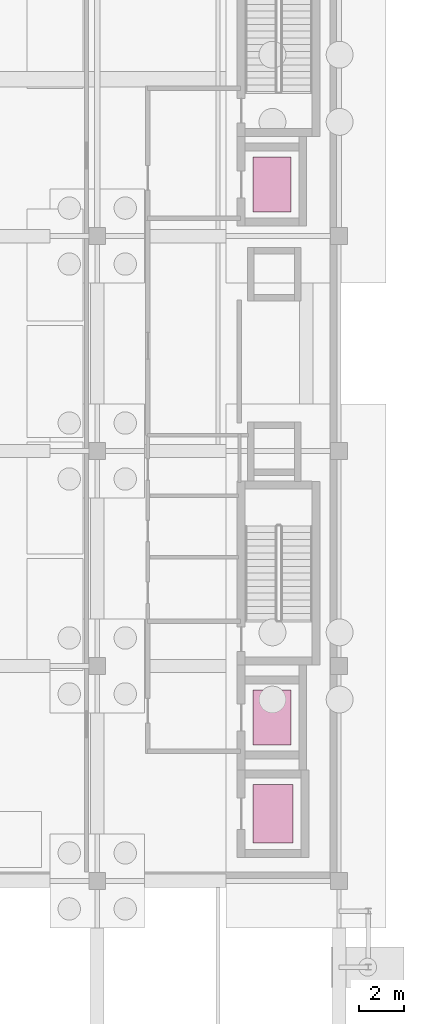
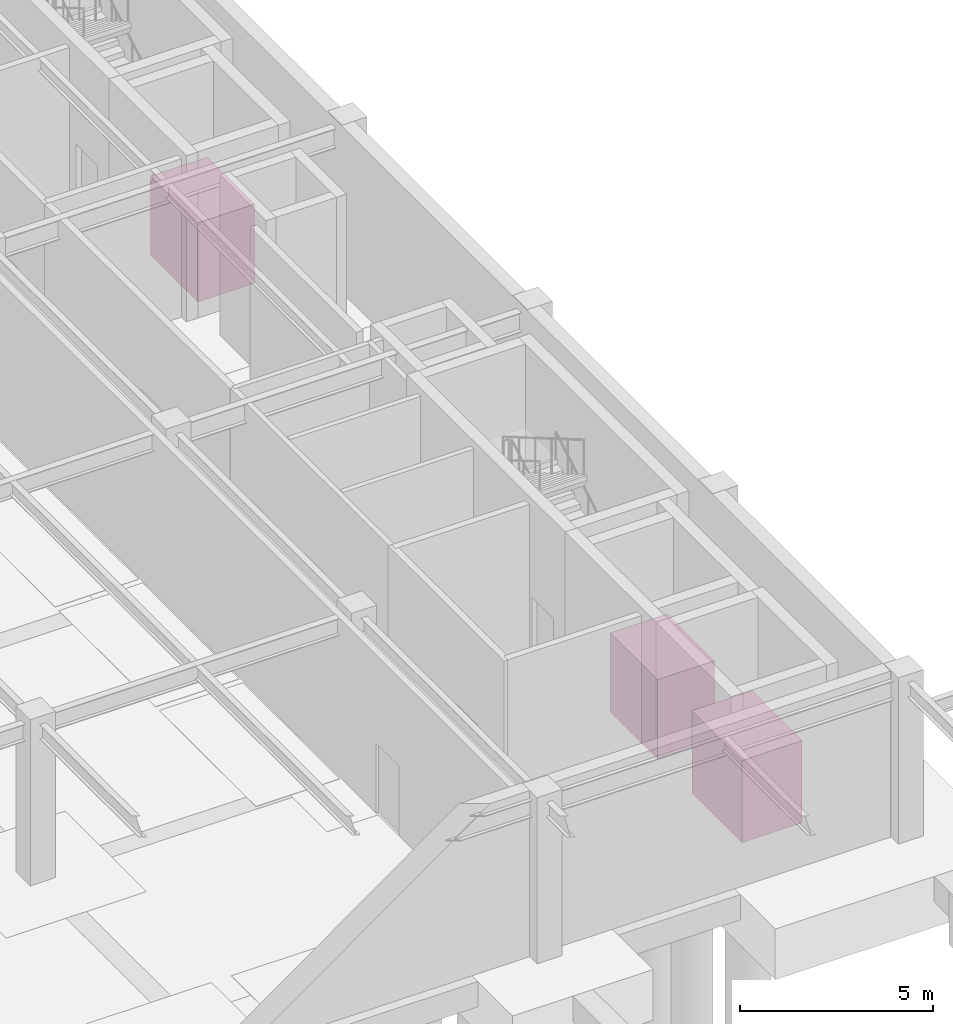
# One storey, part 55 of 55: 3 transport elements.
"""IFC4 building model written with IfcOpenShell, lengths in metres."""

from ifc_helpers import new_model, si_unit, direction, frame, origin, origin_2d, place, context, subcontext, project, spatial, rectangle, extrude, material, type_object, element, save


model = new_model("IFC4")

# Units and contexts
model_context = context("Model", 3, precision=1e-05, world=origin(), true_north=direction((0.0, 1.0)))
body_context = subcontext(model_context, "Body", "Model", "MODEL_VIEW")
ifc_project = project(units=[si_unit("LENGTHUNIT", "METRE"), si_unit("AREAUNIT", "SQUARE_METRE"), si_unit("VOLUMEUNIT", "CUBIC_METRE"), si_unit("PLANEANGLEUNIT", "RADIAN"), si_unit("MASSUNIT", "GRAM", prefix="KILO")], contexts=[model_context])

# Site, building, storey
site_placement = place(None, origin())
site = spatial("IfcSite", under=ifc_project, at=site_placement, CompositionType="ELEMENT")
building_placement = place(site_placement, origin())
building = spatial("IfcBuilding", under=site, at=building_placement, Name="Almandine Court Research Institute", CompositionType="ELEMENT")
storey_placement = place(building_placement, frame((0.0, 0.0, -5.25)))
storey = spatial("IfcBuildingStorey", under=building, at=storey_placement, Name="B1", CompositionType="ELEMENT", Elevation=-5.25)

# Transport elements
ifc_material_1 = material(Name="Brushed Stainless Steel Elevator Cab", Category="steel")
transport_element_type_1 = type_object("IfcTransportElementType", Name="Lift-FSAE-1700x2450", PredefinedType="ELEVATOR", material=ifc_material_1)
for number, where, z_axis, x_axis, name in (
    (1, (171.0, 22.89990234375, 0.0), (0.0, 0.0, 1.0), (1.0, 0.0, 0.0), "Firefighting Lift FL-01"),
    (2, (171.0, 46.699951171875, 0.0), (0.0, 0.0, 1.0), (1.0, 0.0, 0.0), "Firefighting Lift FL-02"),
):
    element("IfcTransportElement", number, at=place(storey_placement, frame(where, z_axis=z_axis, x_axis=x_axis)), inside=storey, type_object=transport_element_type_1, Name=name, PredefinedType="ELEVATOR", context=body_context, shape_type="SweptSolid", body=[
        extrude(rectangle(XDim=1.699951171875, YDim=2.449951171875, at=origin_2d()), origin(), (0.0, 0.0, 1.0), 2.5),
    ])
ifc_material_2 = material(Name="Heavy-Duty Chequer-Plate Goods Elevator Cab")
transport_element_type_2 = type_object("IfcTransportElementType", Name="Lift-GOOD-1800x2600", PredefinedType="ELEVATOR", material=ifc_material_2)
transport_element_placement = place(storey_placement, frame((171.050048828125, 18.60009765625, 0.0), z_axis=(0.0, 0.0, 1.0), x_axis=(1.0, 0.0, 0.0)))
element("IfcTransportElement", 3, at=transport_element_placement, inside=storey, type_object=transport_element_type_2, Name="Wet Laboratory Goods Lift GL-01", PredefinedType="ELEVATOR", context=body_context, shape_type="SweptSolid", body=[
    extrude(rectangle(XDim=1.800048828125, YDim=2.60009765625, at=origin_2d()), origin(), (0.0, 0.0, 1.0), 2.60009765625),
])

save(model, "model.ifc")
